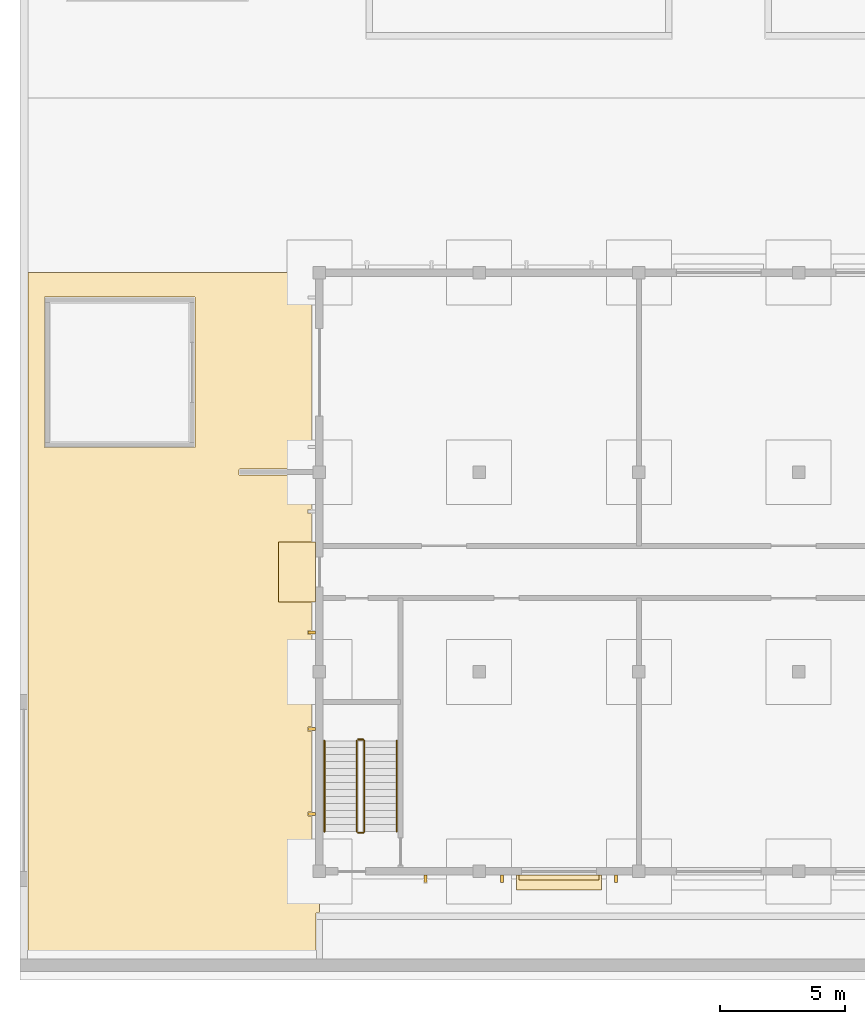
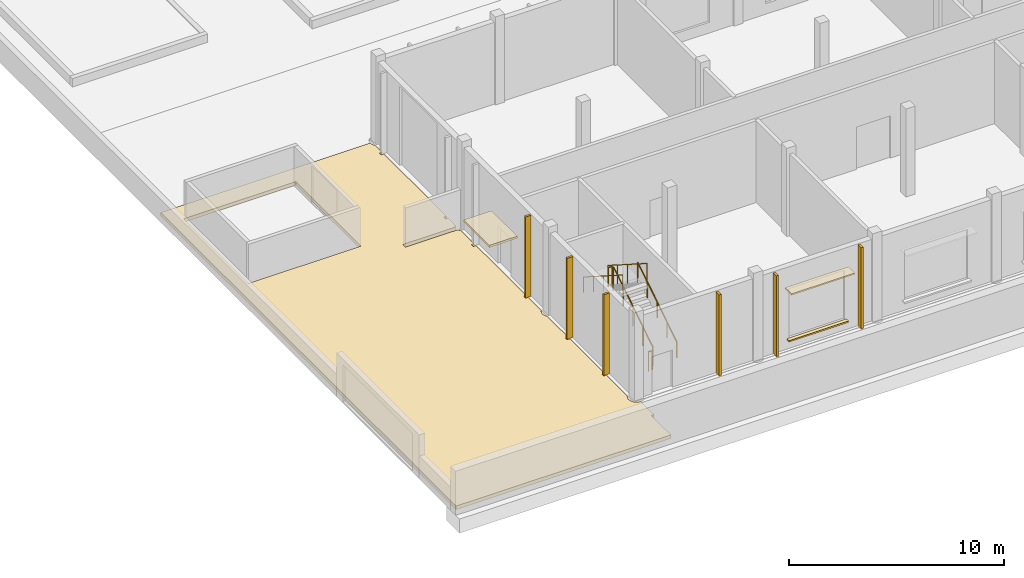
# One storey, part 121 of 157: 6 railings, 6 shading devices, 4 coverings.
"""IFC4 building model written with IfcOpenShell, lengths in metres."""

from ifc_helpers import new_model, si_unit, direction, frame, origin, origin_2d, place, context, subcontext, project, spatial, polyline, circle, outline, extrude, material, layer, layer_set, type_object, element, save


model = new_model("IFC4")

# Units and contexts
model_context = context("Model", 3, precision=1e-05, world=origin(), true_north=direction((0.0, 1.0)))
body_context = subcontext(model_context, "Body", "Model", "MODEL_VIEW")
ifc_project = project(units=[si_unit("LENGTHUNIT", "METRE"), si_unit("AREAUNIT", "SQUARE_METRE"), si_unit("VOLUMEUNIT", "CUBIC_METRE"), si_unit("PLANEANGLEUNIT", "RADIAN"), si_unit("MASSUNIT", "GRAM", prefix="KILO")], contexts=[model_context])

# Site, building, storey
site_placement = place(None, origin())
site = spatial("IfcSite", under=ifc_project, at=site_placement, CompositionType="ELEMENT")
building_placement = place(site_placement, origin())
building = spatial("IfcBuilding", under=site, at=building_placement, Name="Windward Yard Aquatics Centre", CompositionType="ELEMENT")
storey_placement = place(building_placement, origin())
storey = spatial("IfcBuildingStorey", under=building, at=storey_placement, Name="L00", CompositionType="ELEMENT", Elevation=0.0)

# Railings
ifc_material_1 = material(Name="Stainless steel 1.4401", Category="steel")
railing_type_1 = type_object("IfcRailingType", Name="P Plant stair 1 stair guard", PredefinedType="GUARDRAIL", material=ifc_material_1)
railing_1_placement = place(storey_placement, frame((13.800048828125, 6.60009765625, 0.178466796875)))
element("IfcRailing", 1, at=railing_1_placement, inside=storey, type_object=railing_type_1, Name="L00 P-ST1 stair guard 1", PredefinedType="GUARDRAIL", context=body_context, shape_type="SweptSolid", body=[
    extrude(circle(Radius=0.02392578125, at=origin_2d()), frame((0.0, 0.0, 1.076171875), z_axis=(0.0, 0.843111507901, 0.53773877045), x_axis=(-1.0, 0.0, 0.0)), (0.0, 0.0, 1.0), 4.317138671875),
    extrude(circle(Radius=0.02099609375, at=origin_2d()), origin(), (0.0, 0.0, 1.0), 1.052001953125),
    extrude(circle(Radius=0.02099609375, at=origin_2d()), frame((0.0, 0.909912109375, 0.580322265625)), (0.0, 0.0, 1.0), 1.052001953125),
    extrude(circle(Radius=0.02099609375, at=origin_2d()), frame((0.0, 1.81982421875, 1.16064453125)), (0.0, 0.0, 1.0), 1.052001953125),
    extrude(circle(Radius=0.02099609375, at=origin_2d()), frame((0.0, 2.72998046875, 1.7412109375)), (0.0, 0.0, 1.0), 1.052001953125),
    extrude(circle(Radius=0.02099609375, at=origin_2d()), frame((0.0, 3.639892578125, 2.321533203125)), (0.0, 0.0, 1.0), 1.052001953125),
])
railing_2_placement = place(storey_placement, frame((13.75, 10.2900390625, 2.5)))
element("IfcRailing", 2, at=railing_2_placement, inside=storey, type_object=railing_type_1, Name="L00 P-ST1 stair guard 2", PredefinedType="GUARDRAIL", context=body_context, shape_type="SweptSolid", body=[
    extrude(circle(Radius=0.02392578125, at=origin_2d()), frame((0.0, 0.0, 1.076171875), z_axis=(-1.0, 0.0, 0.0), x_axis=(0.0, -1.0, 0.0)), (0.0, 0.0, 1.0), 0.199951171875),
    extrude(circle(Radius=0.02099609375, at=origin_2d()), origin(), (0.0, 0.0, 1.0), 1.052001953125),
    extrude(circle(Radius=0.02099609375, at=origin_2d()), frame((-0.199951171875, 0.0, 0.0)), (0.0, 0.0, 1.0), 1.052001953125),
])
railing_3_placement = place(storey_placement, frame((13.5, 10.239990234375, 2.678466796875)))
element("IfcRailing", 3, at=railing_3_placement, inside=storey, type_object=railing_type_1, Name="L00 P-ST1 stair guard 3", PredefinedType="GUARDRAIL", context=body_context, shape_type="SweptSolid", body=[
    extrude(circle(Radius=0.02392578125, at=origin_2d()), frame((0.0, 0.0, 1.076171875), z_axis=(0.0, -0.843111507901, 0.53773877045), x_axis=(1.0, 0.0, 0.0)), (0.0, 0.0, 1.0), 4.317138671875),
    extrude(circle(Radius=0.02099609375, at=origin_2d()), origin(), (0.0, 0.0, 1.0), 1.052001953125),
    extrude(circle(Radius=0.02099609375, at=origin_2d()), frame((0.0, -0.909912109375, 0.580322265625)), (0.0, 0.0, 1.0), 1.052001953125),
    extrude(circle(Radius=0.02099609375, at=origin_2d()), frame((0.0, -1.81982421875, 1.16064453125)), (0.0, 0.0, 1.0), 1.052001953125),
    extrude(circle(Radius=0.02099609375, at=origin_2d()), frame((0.0, -2.72998046875, 1.7412109375)), (0.0, 0.0, 1.0), 1.052001953125),
    extrude(circle(Radius=0.02099609375, at=origin_2d()), frame((0.0, -3.639892578125, 2.321533203125)), (0.0, 0.0, 1.0), 1.052001953125),
])
railing_4_placement = place(storey_placement, frame((13.75, 6.550048828125, 0.0)))
element("IfcRailing", 4, at=railing_4_placement, inside=storey, type_object=railing_type_1, Name="L00 P-ST1 stair guard 4", PredefinedType="GUARDRAIL", context=body_context, shape_type="SweptSolid", body=[
    extrude(circle(Radius=0.02392578125, at=origin_2d()), frame((0.0, 0.0, 1.076171875), z_axis=(-1.0, 0.0, 0.0), x_axis=(0.0, -1.0, 0.0)), (0.0, 0.0, 1.0), 0.199951171875),
    extrude(circle(Radius=0.02099609375, at=origin_2d()), origin(), (0.0, 0.0, 1.0), 1.052001953125),
    extrude(circle(Radius=0.02099609375, at=origin_2d()), frame((-0.199951171875, 0.0, 0.0)), (0.0, 0.0, 1.0), 1.052001953125),
])
railing_type_2 = type_object("IfcRailingType", Name="P Plant stair 1 stair handrail", PredefinedType="HANDRAIL", material=ifc_material_1)
railing_5_placement = place(storey_placement, frame((15.10009765625, 6.60009765625, 0.178466796875)))
element("IfcRailing", 5, at=railing_5_placement, inside=storey, type_object=railing_type_2, Name="L00 P-ST1 stair handrail 1", PredefinedType="HANDRAIL", context=body_context, shape_type="SweptSolid", body=[
    extrude(circle(Radius=0.02392578125, at=origin_2d()), frame((0.0, 0.0, 0.8759765625), z_axis=(0.0, 0.843111507901, 0.53773877045), x_axis=(-1.0, 0.0, 0.0)), (0.0, 0.0, 1.0), 4.317138671875),
    extrude(circle(Radius=0.02099609375, at=origin_2d()), origin(), (0.0, 0.0, 1.0), 0.851806640625),
    extrude(circle(Radius=0.02099609375, at=origin_2d()), frame((0.0, 0.909912109375, 0.580322265625)), (0.0, 0.0, 1.0), 0.851806640625),
    extrude(circle(Radius=0.02099609375, at=origin_2d()), frame((0.0, 1.81982421875, 1.16064453125)), (0.0, 0.0, 1.0), 0.851806640625),
    extrude(circle(Radius=0.02099609375, at=origin_2d()), frame((0.0, 2.72998046875, 1.7412109375)), (0.0, 0.0, 1.0), 0.851806640625),
    extrude(circle(Radius=0.02099609375, at=origin_2d()), frame((0.0, 3.639892578125, 2.321533203125)), (0.0, 0.0, 1.0), 0.851806640625),
])
railing_6_placement = place(storey_placement, frame((12.199951171875, 10.239990234375, 2.678466796875)))
element("IfcRailing", 6, at=railing_6_placement, inside=storey, type_object=railing_type_2, Name="L00 P-ST1 stair handrail 2", PredefinedType="HANDRAIL", context=body_context, shape_type="SweptSolid", body=[
    extrude(circle(Radius=0.02392578125, at=origin_2d()), frame((0.0, 0.0, 0.8759765625), z_axis=(0.0, -0.843111507901, 0.53773877045), x_axis=(1.0, 0.0, 0.0)), (0.0, 0.0, 1.0), 4.317138671875),
    extrude(circle(Radius=0.02099609375, at=origin_2d()), origin(), (0.0, 0.0, 1.0), 0.851806640625),
    extrude(circle(Radius=0.02099609375, at=origin_2d()), frame((0.0, -0.909912109375, 0.580322265625)), (0.0, 0.0, 1.0), 0.851806640625),
    extrude(circle(Radius=0.02099609375, at=origin_2d()), frame((0.0, -1.81982421875, 1.16064453125)), (0.0, 0.0, 1.0), 0.851806640625),
    extrude(circle(Radius=0.02099609375, at=origin_2d()), frame((0.0, -2.72998046875, 1.7412109375)), (0.0, 0.0, 1.0), 0.851806640625),
    extrude(circle(Radius=0.02099609375, at=origin_2d()), frame((0.0, -3.639892578125, 2.321533203125)), (0.0, 0.0, 1.0), 0.851806640625),
])

# Covering
ifc_material_2 = material(Name="Aluminium standing seam canopy on steel brackets", Category="steel")
ifc_layer_1 = layer(ifc_material_2, 0.1201171875)
ifc_layer_set_1 = layer_set([ifc_layer_1], Name="P entrance canopy aluminium 2400x1500")
covering_type_1 = type_object("IfcCoveringType", Name="P entrance canopy aluminium 2400x1500", PredefinedType="CLADDING", material=ifc_layer_set_1)
covering_1_placement = place(storey_placement, frame((0.0, 0.0, 2.5)))
element("IfcCovering", 7, at=covering_1_placement, inside=storey, type_object=covering_type_1, Name="Entrance canopy P0002", PredefinedType="CLADDING", context=body_context, shape_type="SweptSolid", body=[
    extrude(outline(polyline([(10.35009765625, 15.800048828125), (11.85009765625, 15.800048828125), (11.85009765625, 18.199951171875), (10.35009765625, 18.199951171875), (10.35009765625, 15.800048828125)])), origin(), (0.0, 0.0, 1.0), 0.1201171875),
])

# Shading devices
ifc_material_3 = material(Name="Aluminium fin, powder coated", Category="aluminium")
shading_device_type = type_object("IfcShadingDeviceType", Name="P vertical fin 120x300", PredefinedType="USERDEFINED", material=ifc_material_3)
shading_device_1_placement = place(storey_placement, origin())
element("IfcShadingDevice", 8, at=shading_device_1_placement, inside=storey, type_object=shading_device_type, Name="Vertical fin P.W.L00.S1.1.1", ObjectType="FIN", PredefinedType="USERDEFINED", context=body_context, shape_type="SweptSolid", body=[
    extrude(outline(polyline([(16.18994140625, 4.550048828125), (16.18994140625, 4.85009765625), (16.31005859375, 4.85009765625), (16.31005859375, 4.550048828125), (16.18994140625, 4.550048828125)])), origin(), (0.0, 0.0, 1.0), 4.590087890625),
])
shading_device_2_placement = place(storey_placement, origin())
element("IfcShadingDevice", 9, at=shading_device_2_placement, inside=storey, type_object=shading_device_type, Name="Vertical fin P.W.L00.S2.1.1", ObjectType="FIN", PredefinedType="USERDEFINED", context=body_context, shape_type="SweptSolid", body=[
    extrude(outline(polyline([(19.264892578125, 4.550048828125), (19.264892578125, 4.85009765625), (19.385009765625, 4.85009765625), (19.385009765625, 4.550048828125), (19.264892578125, 4.550048828125)])), origin(), (0.0, 0.0, 1.0), 4.590087890625),
])
shading_device_3_placement = place(storey_placement, origin())
element("IfcShadingDevice", 10, at=shading_device_3_placement, inside=storey, type_object=shading_device_type, Name="Vertical fin P.W.L00.S2.2.1", ObjectType="FIN", PredefinedType="USERDEFINED", context=body_context, shape_type="SweptSolid", body=[
    extrude(outline(polyline([(23.81494140625, 4.550048828125), (23.81494140625, 4.85009765625), (23.93505859375, 4.85009765625), (23.93505859375, 4.550048828125), (23.81494140625, 4.550048828125)])), origin(), (0.0, 0.0, 1.0), 4.590087890625),
])
shading_device_4_placement = place(storey_placement, origin())
element("IfcShadingDevice", 11, at=shading_device_4_placement, inside=storey, type_object=shading_device_type, Name="Vertical fin P.W.L00.W1.1.1", ObjectType="FIN", PredefinedType="USERDEFINED", context=body_context, shape_type="SweptSolid", body=[
    extrude(outline(polyline([(11.550048828125, 7.239990234375), (11.85009765625, 7.239990234375), (11.85009765625, 7.360107421875), (11.550048828125, 7.360107421875), (11.550048828125, 7.239990234375)])), origin(), (0.0, 0.0, 1.0), 4.590087890625),
])
shading_device_5_placement = place(storey_placement, origin())
element("IfcShadingDevice", 12, at=shading_device_5_placement, inside=storey, type_object=shading_device_type, Name="Vertical fin P.W.L00.W1.1.2", ObjectType="FIN", PredefinedType="USERDEFINED", context=body_context, shape_type="SweptSolid", body=[
    extrude(outline(polyline([(11.550048828125, 10.639892578125), (11.85009765625, 10.639892578125), (11.85009765625, 10.760009765625), (11.550048828125, 10.760009765625), (11.550048828125, 10.639892578125)])), origin(), (0.0, 0.0, 1.0), 4.590087890625),
])
shading_device_6_placement = place(storey_placement, origin())
element("IfcShadingDevice", 13, at=shading_device_6_placement, inside=storey, type_object=shading_device_type, Name="Vertical fin P.W.L00.W2.1.1", ObjectType="FIN", PredefinedType="USERDEFINED", context=body_context, shape_type="SweptSolid", body=[
    extrude(outline(polyline([(11.550048828125, 14.514892578125), (11.85009765625, 14.514892578125), (11.85009765625, 14.635009765625), (11.550048828125, 14.635009765625), (11.550048828125, 14.514892578125)])), origin(), (0.0, 0.0, 1.0), 4.590087890625),
])

# Coverings
ifc_material_4 = material(Name="Aluminium composite hood, powder coated", Category="aluminium")
ifc_layer_2 = layer(ifc_material_4, 0.080078125)
ifc_layer_set_2 = layer_set([ifc_layer_2], Name="P window hood aluminium 3400x600")
covering_type_2 = type_object("IfcCoveringType", Name="P window hood aluminium 3400x600", PredefinedType="CLADDING", material=ifc_layer_set_2)
covering_2_placement = place(storey_placement, frame((0.0, 0.0, 3.449951171875)))
element("IfcCovering", 14, at=covering_2_placement, inside=storey, type_object=covering_type_2, Name="Window hood PW0001", PredefinedType="CLADDING", context=body_context, shape_type="SweptSolid", body=[
    extrude(outline(polyline([(19.89990234375, 4.25), (19.89990234375, 4.85009765625), (23.300048828125, 4.85009765625), (23.300048828125, 4.25), (19.89990234375, 4.25)])), origin(), (0.0, 0.0, 1.0), 0.080078125),
])
ifc_material_5 = material(Name="Limestone sill", Category="masonry")
ifc_layer_3 = layer(ifc_material_5, 0.080078125)
ifc_layer_set_3 = layer_set([ifc_layer_3], Name="P window sill stone 3200x200")
covering_type_3 = type_object("IfcCoveringType", Name="P window sill stone 3200x200", PredefinedType="CLADDING", material=ifc_layer_set_3)
covering_3_placement = place(storey_placement, frame((0.0, 0.0, 0.52001953125)))
element("IfcCovering", 15, at=covering_3_placement, inside=storey, type_object=covering_type_3, Name="Window sill PW0001", PredefinedType="CLADDING", context=body_context, shape_type="SweptSolid", body=[
    extrude(outline(polyline([(20.0, 4.64990234375), (20.0, 4.85009765625), (23.199951171875, 4.85009765625), (23.199951171875, 4.64990234375), (20.0, 4.64990234375)])), origin(), (0.0, 0.0, 1.0), 0.080078125),
])
ifc_material_6 = material(Name="Concrete C30/37", Category="concrete")
ifc_layer_4 = layer(ifc_material_6, 0.199951171875)
ifc_layer_set_4 = layer_set([ifc_layer_4], Name="X Service Apron Concrete C30/37 200")
covering_type_4 = type_object("IfcCoveringType", Name="X Service Apron Concrete C30/37 200", PredefinedType="FLOORING", material=ifc_layer_set_4)
covering_4_placement = place(storey_placement, frame((0.0, 0.0, -0.199951171875)))
element("IfcCovering", 16, at=covering_4_placement, inside=storey, type_object=covering_type_4, Name="Service apron paving 2", PredefinedType="FLOORING", context=body_context, shape_type="SweptSolid", body=[
    extrude(outline(polyline([(0.320068359375, 1.52001953125), (11.85498046875, 1.52001953125), (11.85498046875, 3.324951171875), (11.8564453125, 3.332763671875), (11.86083984375, 3.339111328125), (11.8671875, 3.343505859375), (11.875, 3.344970703125), (12.0, 3.344970703125), (12.0, 4.580078125), (11.959716796875, 4.58203125), (11.9189453125, 4.587890625), (11.877197265625, 4.598388671875), (11.83837890625, 4.6123046875), (11.80126953125, 4.630126953125), (11.765869140625, 4.6513671875), (11.728515625, 4.679931640625), (11.697998046875, 4.68017578125), (11.687255859375, 4.6845703125), (11.683349609375, 4.68896484375), (11.680419921875, 4.696044921875), (11.679931640625, 4.728515625), (11.6513671875, 4.765869140625), (11.629150390625, 4.802978515625), (11.611572265625, 4.840087890625), (11.598388671875, 4.877197265625), (11.587890625, 4.9189453125), (11.58203125, 4.9580078125), (11.580078125, 4.9990234375), (11.58203125, 5.040283203125), (11.587890625, 5.0810546875), (11.597900390625, 5.12109375), (11.611572265625, 5.159912109375), (11.630126953125, 5.19873046875), (11.6513671875, 5.234130859375), (11.679931640625, 5.271484375), (11.679931640625, 7.219970703125), (11.548095703125, 7.22021484375), (11.54052734375, 7.222412109375), (11.534423828125, 7.227294921875), (11.531494140625, 7.232421875), (11.530029296875, 7.239990234375), (11.530029296875, 7.360107421875), (11.531494140625, 7.36767578125), (11.535888671875, 7.3740234375), (11.542236328125, 7.37841796875), (11.550048828125, 7.3798828125), (11.679931640625, 7.3798828125), (11.679931640625, 10.6201171875), (11.550048828125, 10.6201171875), (11.542236328125, 10.62158203125), (11.535888671875, 10.6259765625), (11.531494140625, 10.63232421875), (11.530029296875, 10.639892578125), (11.530029296875, 10.760009765625), (11.531494140625, 10.767578125), (11.534423828125, 10.772705078125), (11.54052734375, 10.777587890625), (11.548095703125, 10.77978515625), (11.679931640625, 10.780029296875), (11.679931640625, 12.728515625), (11.650390625, 12.767578125), (11.629150390625, 12.802978515625), (11.611572265625, 12.840087890625), (11.597900390625, 12.87890625), (11.587890625, 12.9189453125), (11.58203125, 12.959716796875), (11.580078125, 13.0009765625), (11.58203125, 13.0419921875), (11.587890625, 13.0810546875), (11.597900390625, 13.12109375), (11.611572265625, 13.159912109375), (11.629150390625, 13.197021484375), (11.650390625, 13.232421875), (11.679931640625, 13.271484375), (11.679931640625, 14.4951171875), (11.550048828125, 14.4951171875), (11.542236328125, 14.49658203125), (11.535888671875, 14.5009765625), (11.531494140625, 14.50732421875), (11.530029296875, 14.514892578125), (11.530029296875, 14.635009765625), (11.531494140625, 14.642578125), (11.534423828125, 14.647705078125), (11.54052734375, 14.652587890625), (11.548095703125, 14.65478515625), (11.679931640625, 14.655029296875), (11.679931640625, 19.344970703125), (11.550048828125, 19.344970703125), (11.542236328125, 19.346435546875), (11.535888671875, 19.350830078125), (11.531494140625, 19.357421875), (11.530029296875, 19.364990234375), (11.530029296875, 19.485107421875), (11.531494140625, 19.49267578125), (11.535888671875, 19.4990234375), (11.54052734375, 19.502685546875), (11.548095703125, 19.5048828125), (11.679931640625, 19.5048828125), (11.679931640625, 20.728515625), (11.6513671875, 20.765869140625), (11.630126953125, 20.80126953125), (11.611572265625, 20.840087890625), (11.59765625, 20.8798828125), (8.800048828125, 20.8798828125), (8.792236328125, 20.881591796875), (8.785888671875, 20.885986328125), (8.781494140625, 20.892333984375), (8.780029296875, 20.89990234375), (8.780029296875, 21.10205078125), (8.781494140625, 21.107666015625), (8.785888671875, 21.114013671875), (8.79052734375, 21.11767578125), (8.798095703125, 21.119873046875), (11.59765625, 21.1201171875), (11.611572265625, 21.159912109375), (11.630126953125, 21.19873046875), (11.6513671875, 21.234130859375), (11.679931640625, 21.271484375), (11.679931640625, 21.919921875), (11.548095703125, 21.920166015625), (11.54052734375, 21.92236328125), (11.535888671875, 21.92578125), (11.531494140625, 21.932373046875), (11.530029296875, 21.93994140625), (11.530029296875, 22.06005859375), (11.531494140625, 22.067626953125), (11.535888671875, 22.07421875), (11.542236328125, 22.07861328125), (11.550048828125, 22.080078125), (11.679931640625, 22.080078125), (11.679931640625, 27.919921875), (11.550048828125, 27.919921875), (11.542236328125, 27.92138671875), (11.535888671875, 27.92578125), (11.531494140625, 27.932373046875), (11.530029296875, 27.93994140625), (11.530029296875, 28.06005859375), (11.531494140625, 28.067626953125), (11.535888671875, 28.07421875), (11.54052734375, 28.07763671875), (11.548095703125, 28.079833984375), (11.679931640625, 28.080078125), (11.679931640625, 28.728515625), (11.650390625, 28.767578125), (11.629150390625, 28.802978515625), (11.611572265625, 28.840087890625), (11.597900390625, 28.87890625), (11.587890625, 28.9189453125), (11.58203125, 28.959716796875), (11.580078125, 29.0), (0.320068359375, 29.0), (0.320068359375, 1.52001953125)]), holes=[polyline([(0.97998046875, 22.0), (0.9814453125, 21.9921875), (0.98583984375, 21.98583984375), (0.9921875, 21.9814453125), (1.0, 21.97998046875), (7.0, 21.97998046875), (7.005859375, 21.98095703125), (7.0126953125, 21.984619140625), (7.017578125, 21.990478515625), (7.01953125, 21.99609375), (7.02001953125, 28.0), (7.0185546875, 28.0078125), (7.01416015625, 28.01416015625), (7.0078125, 28.0185546875), (7.0, 28.02001953125), (1.0, 28.02001953125), (0.9921875, 28.0185546875), (0.98583984375, 28.01416015625), (0.9814453125, 28.0078125), (0.97998046875, 28.0), (0.97998046875, 22.0)])]), origin(), (0.0, 0.0, 1.0), 0.199951171875),
])

save(model, "model.ifc")
